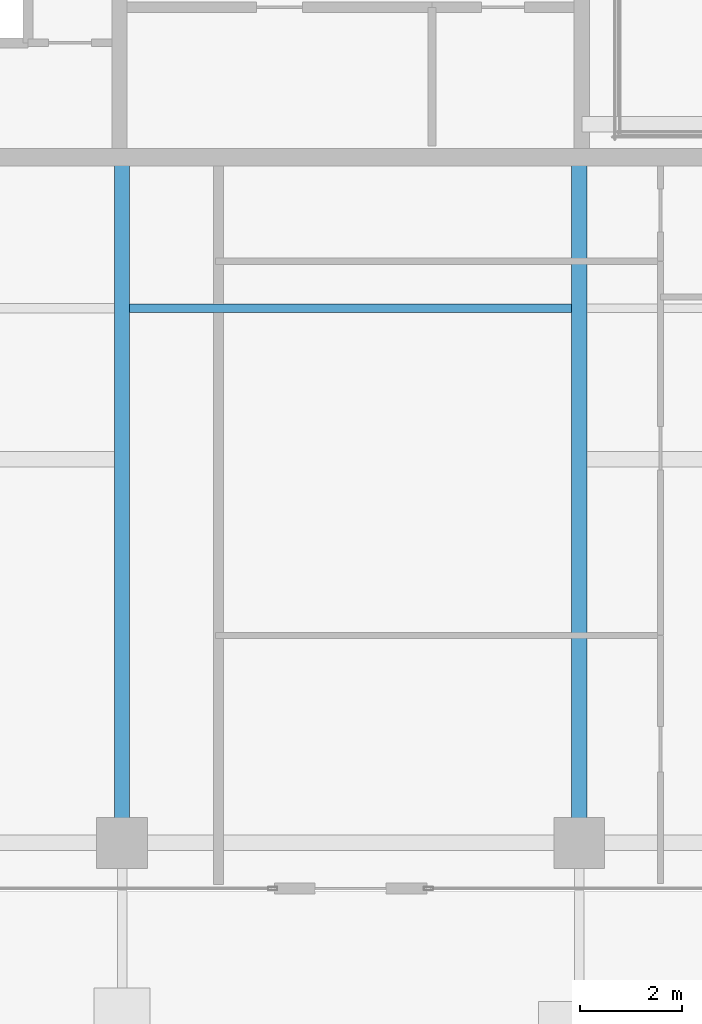
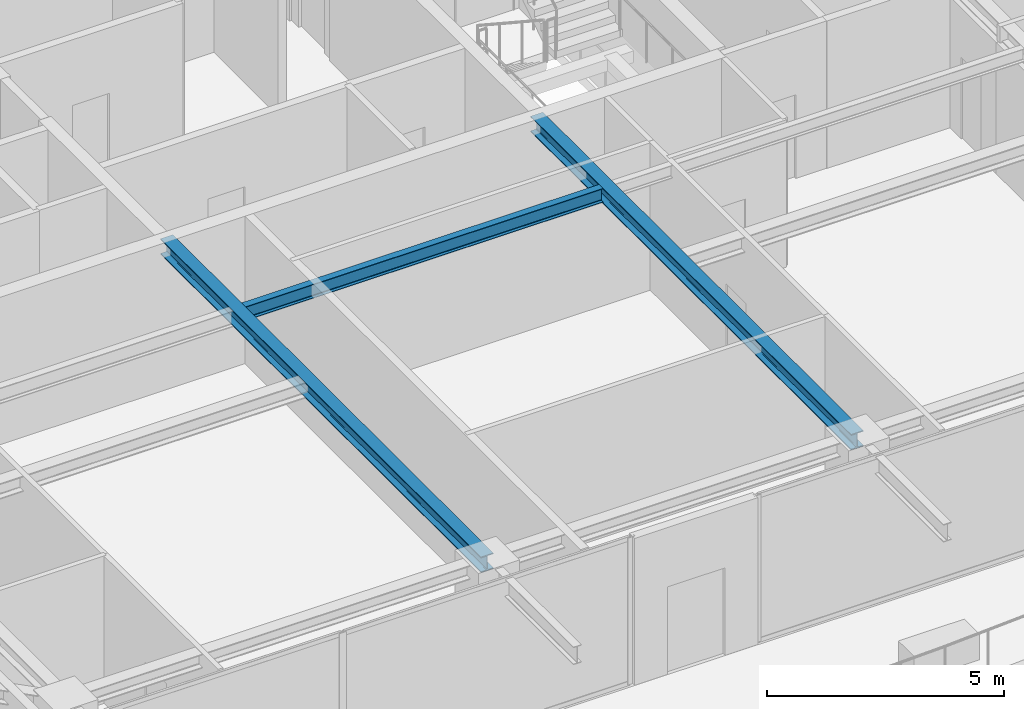
# One storey, part 7 of 42: 3 beams.
"""IFC4 building model written with IfcOpenShell, lengths in metres."""

from ifc_helpers import new_model, si_unit, direction, frame, origin, origin_2d, place, context, subcontext, project, spatial, i_section, extrude, source, transform, mapped, material, material_profile, profile_set, type_object, element, save


model = new_model("IFC4")

# Units and contexts
model_context = context("Model", 3, precision=1e-05, world=origin(), true_north=direction((0.0, 1.0)))
body_context = subcontext(model_context, "Body", "Model", "MODEL_VIEW")
ifc_project = project(units=[si_unit("LENGTHUNIT", "METRE"), si_unit("AREAUNIT", "SQUARE_METRE"), si_unit("VOLUMEUNIT", "CUBIC_METRE"), si_unit("PLANEANGLEUNIT", "RADIAN"), si_unit("MASSUNIT", "GRAM", prefix="KILO")], contexts=[model_context])

# Site, building, storey
site_placement = place(None, origin())
site = spatial("IfcSite", under=ifc_project, at=site_placement, CompositionType="ELEMENT")
building_placement = place(site_placement, origin())
building = spatial("IfcBuilding", under=site, at=building_placement, Name="Serunith Strait Residences", CompositionType="ELEMENT")
storey_placement = place(building_placement, frame((0.0, 0.0, 293.449951171875)))
storey = spatial("IfcBuildingStorey", under=building, at=storey_placement, Name="L73", CompositionType="ELEMENT", Elevation=293.449951171875)

# Beams
ifc_material = material(Name="Steel S355J2", Category="steel")
ifc_material_profile_1 = material_profile(ifc_material, i_section(OverallWidth=0.169921875, OverallDepth=0.360107421875, WebThickness=0.008056640625, FlangeThickness=0.0126953125, FilletRadius=0.01806640625, at=origin_2d()), Name="IPE 360")
ifc_profile_set_1 = profile_set([ifc_material_profile_1], Name="Steel S355J2")
beam_type_1 = type_object("IfcBeamType", Name="BM-IPE360", PredefinedType="JOIST", material=ifc_profile_set_1)
shared_shape_1 = source(origin(), body_context, "Body", "SweptSolid", [
    extrude(i_section(OverallWidth=0.169921875, OverallDepth=0.360107421875, WebThickness=0.008056640625, FlangeThickness=0.0126953125, FilletRadius=0.01806640625, at=origin_2d()), origin(), (0.0, 0.0, 1.0), 8.699951171875),
])
beam_placement = place(storey_placement, frame((28.050048828125, 13.824951171875, 3.60693359375), z_axis=(1.0, 0.0, 0.0), x_axis=(0.0, 1.0, 0.0)))
element("IfcBeam", 1, at=beam_placement, inside=storey, type_object=beam_type_1, Name="L73 Composite Floor Joist 02", PredefinedType="JOIST", context=body_context, shape_type="MappedRepresentation", body=[
    mapped(shared_shape_1, transform((0.0, 0.0, 0.0), scale=1.0)),
])
ifc_material_profile_2 = material_profile(ifc_material, i_section(OverallWidth=0.300048828125, OverallDepth=0.39990234375, WebThickness=0.013427734375, FlangeThickness=0.02392578125, FilletRadius=0.027099609375, at=origin_2d()), Name="HEB 400")
ifc_profile_set_2 = profile_set([ifc_material_profile_2], Name="Steel S355J2")
beam_type_2 = type_object("IfcBeamType", Name="BM-HEB400", PredefinedType="BEAM", material=ifc_profile_set_2)
shared_shape_2 = source(origin(), body_context, "Body", "SweptSolid", [
    extrude(i_section(OverallWidth=0.300048828125, OverallDepth=0.39990234375, WebThickness=0.013427734375, FlangeThickness=0.02392578125, FilletRadius=0.027099609375, at=origin_2d()), origin(), (0.0, 0.0, 1.0), 13.5),
])
for number, where, z_axis, x_axis, name in (
    (2, (27.89990234375, 16.800048828125, 3.587158203125), (0.0, -1.0, 0.0), (1.0, 0.0, 0.0), "L73 Primary Floor Girder TC-S2"),
    (3, (36.89990234375, 16.800048828125, 3.587158203125), (0.0, -1.0, 0.0), (1.0, 0.0, 0.0), "L73 Primary Floor Girder TC-S3"),
):
    element("IfcBeam", number, at=place(storey_placement, frame(where, z_axis=z_axis, x_axis=x_axis)), inside=storey, type_object=beam_type_2, Name=name, PredefinedType="BEAM", context=body_context, shape_type="MappedRepresentation", body=[
        mapped(shared_shape_2, transform((0.0, 0.0, 0.0), scale=1.0)),
    ])

save(model, "model.ifc")
